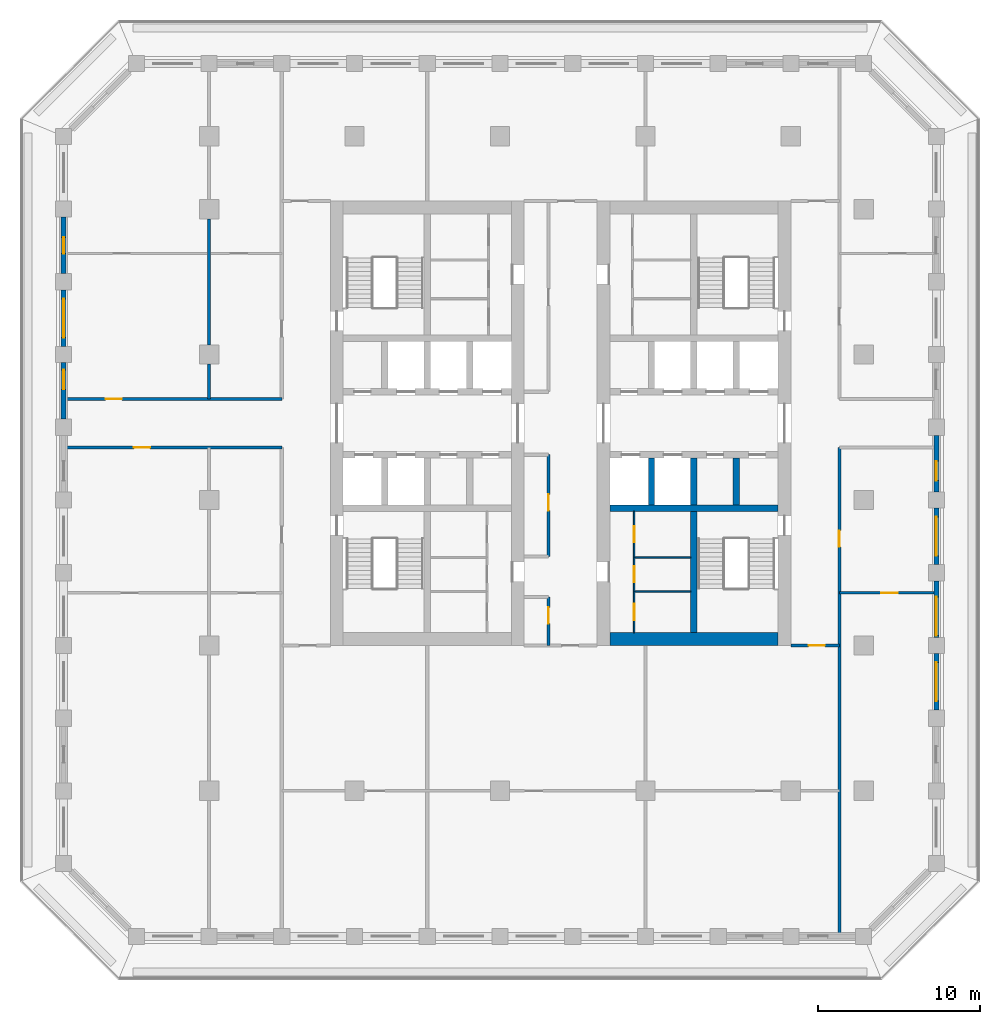
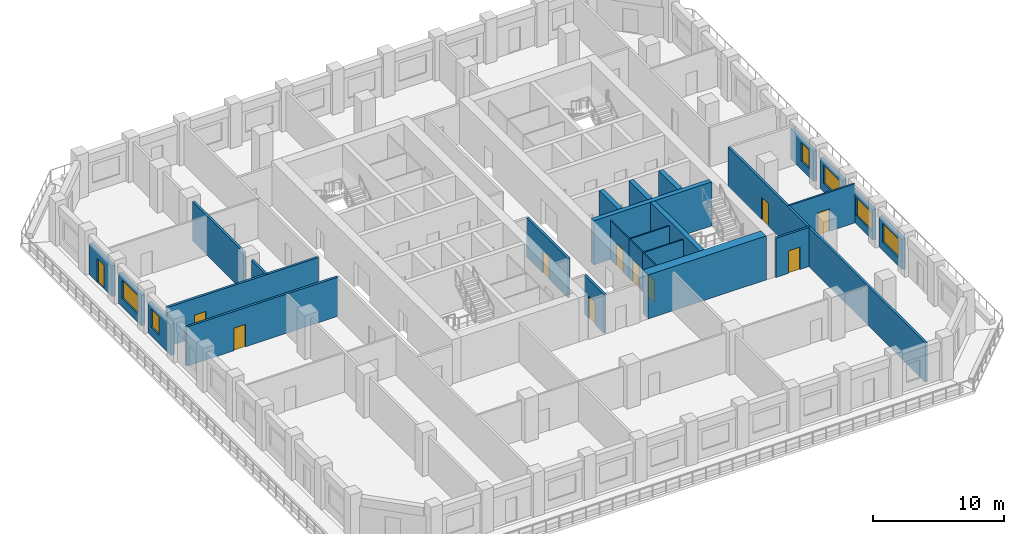
# One storey, part 4 of 16: 27 walls, 11 doors, 6 windows, 17 openings.
"""IFC4 building model written with IfcOpenShell, lengths in metres."""

from ifc_helpers import new_model, si_unit, direction, frame, frame_2d, origin, place, context, subcontext, project, spatial, rectangle, extrude, material, layer, layer_set, type_object, element, fill, save


model = new_model("IFC4")

# Units and contexts
model_context = context("Model", 3, precision=1e-05, world=origin(), true_north=direction((0.0, 1.0)))
body_context = subcontext(model_context, "Body", "Model", "MODEL_VIEW")
ifc_project = project(units=[si_unit("LENGTHUNIT", "METRE"), si_unit("AREAUNIT", "SQUARE_METRE"), si_unit("VOLUMEUNIT", "CUBIC_METRE"), si_unit("PLANEANGLEUNIT", "RADIAN"), si_unit("MASSUNIT", "GRAM", prefix="KILO")], contexts=[model_context])

# Site, building, storey
site_placement = place(None, origin())
site = spatial("IfcSite", under=ifc_project, at=site_placement, CompositionType="ELEMENT")
building_placement = place(site_placement, origin())
building = spatial("IfcBuilding", under=site, at=building_placement, Name="Corbel Stack Research Tower", CompositionType="ELEMENT")
storey_placement = place(building_placement, frame((0.0, 0.0, 169.10009765625)))
storey = spatial("IfcBuildingStorey", under=building, at=storey_placement, Name="L38", CompositionType="ELEMENT", Elevation=169.10009765625)

# Walls
ifc_material_1 = material(Name="Concrete C60/75", Category="concrete")
ifc_layer_1 = layer(ifc_material_1, 0.39990234375)
ifc_layer_set_1 = layer_set([ifc_layer_1], Name="Concrete C60/75")
wall_type_1 = type_object("IfcWallType", Name="CW-400-60", PredefinedType="SHEAR", material=ifc_layer_set_1)
wall_1_placement = place(storey_placement, frame((6.800048828125, -0.5, 0.0), z_axis=(0.0, 0.0, 1.0), x_axis=(1.0, 0.0, 0.0)))
element("IfcWall", 1, at=wall_1_placement, inside=storey, type_object=wall_type_1, Name="East core wall, south row back L38", PredefinedType="SHEAR", context=body_context, shape_type="SweptSolid", body=[
    extrude(rectangle(XDim=10.39990234375, YDim=0.39990234375, at=frame_2d((5.199951171875, 0.0))), origin(), (0.0, 0.0, 1.0), 4.099853515625),
])
for number, where, z_axis, x_axis, name in (
    (2, (9.375, -0.300048828125, 0.0), (0.0, 0.0, 1.0), (0.0, 1.0, 0.0), "East core wall, south shaft 1 L38"),
    (3, (12.0, -0.300048828125, 0.0), (0.0, 0.0, 1.0), (0.0, 1.0, 0.0), "East core wall, south shaft 2 L38"),
    (4, (14.625, -0.300048828125, 0.0), (0.0, 0.0, 1.0), (0.0, 1.0, 0.0), "East core wall, south shaft 3 L38"),
):
    element("IfcWall", number, at=place(storey_placement, frame(where, z_axis=z_axis, x_axis=x_axis)), inside=storey, type_object=wall_type_1, Name=name, PredefinedType="SHEAR", context=body_context, shape_type="SweptSolid", body=[
        extrude(rectangle(XDim=2.900146484375, YDim=0.39990234375, at=frame_2d((1.4501953125, 0.0))), origin(), (0.0, 0.0, 1.0), 4.099853515625),
    ])
wall_2_placement = place(storey_placement, frame((12.0, -8.199951171875, 0.0), z_axis=(0.0, 0.0, 1.0), x_axis=(0.0, 1.0, 0.0)))
element("IfcWall", 5, at=wall_2_placement, inside=storey, type_object=wall_type_1, Name="East core wall, south stair and WC L38", PredefinedType="SHEAR", context=body_context, shape_type="SweptSolid", body=[
    extrude(rectangle(XDim=7.5, YDim=0.39990234375, at=frame_2d((3.75, 0.0))), origin(), (0.0, 0.0, 1.0), 4.099853515625),
])
ifc_material_2 = material(Name="Concrete C60/75", Category="concrete")
ifc_layer_2 = layer(ifc_material_2, 0.800048828125)
ifc_layer_set_2 = layer_set([ifc_layer_2], Name="Concrete C60/75")
wall_type_2 = type_object("IfcWallType", Name="CW-800-60", PredefinedType="SHEAR", material=ifc_layer_set_2)
wall_3_placement = place(storey_placement, frame((6.800048828125, -8.60009765625, 0.0), z_axis=(0.0, 0.0, 1.0), x_axis=(1.0, 0.0, 0.0)))
element("IfcWall", 6, at=wall_3_placement, inside=storey, type_object=wall_type_2, Name="East core wall, south end L38", PredefinedType="SHEAR", context=body_context, shape_type="SweptSolid", body=[
    extrude(rectangle(XDim=10.39990234375, YDim=0.800048828125, at=frame_2d((5.199951171875, 0.0))), origin(), (0.0, 0.0, 1.0), 4.099853515625),
])

# Wall, opening, door
ifc_material_3 = material(Name="Gypsum board")
ifc_layer_3 = layer(ifc_material_3, 0.10009765625)
ifc_layer_set_3 = layer_set([ifc_layer_3], Name="Gypsum board")
wall_type_3 = type_object("IfcWallType", Name="Core partition 100", PredefinedType="PARTITIONING", material=ifc_layer_set_3)
wall_4_placement = place(storey_placement, frame((8.300048828125, -8.199951171875, 0.0), z_axis=(0.0, 0.0, 1.0), x_axis=(0.0, 1.0, 0.0)))
wall_4 = element("IfcWall", 7, at=wall_4_placement, inside=storey, type_object=wall_type_3, Name="Core partition E", PredefinedType="PARTITIONING", context=body_context, shape_type="SweptSolid", body=[
    extrude(rectangle(XDim=2.550048828125, YDim=0.10009765625, at=frame_2d((1.27490234375, 0.0))), origin(), (0.0, 0.0, 1.0), 3.64990234375),
])
opening_1_placement = place(wall_4_placement, frame((0.77490234375, 0.0, 0.0)))
opening_1 = element("IfcOpeningElement", 8, at=opening_1_placement, cuts=wall_4, Name="Opening CR-E12-W2-1000", PredefinedType="OPENING", context=body_context, shape_type="SweptSolid", body=[
    extrude(rectangle(XDim=1.0, YDim=2.10009765625, at=frame_2d((0.5, 1.050048828125))), frame((0.0, 0.06005859375, 0.0), z_axis=(0.0, -1.0, 0.0), x_axis=(1.0, 0.0, 0.0)), (0.0, 0.0, 1.0), 0.1201171875),
])
ifc_material_4 = material(Name="Painted timber door", Category="wood")
door_type_1 = type_object("IfcDoorType", Name="WC door 1000 x 2100 left hand", OperationType="SINGLE_SWING_LEFT", PredefinedType="DOOR", material=ifc_material_4)
door_1_placement = place(opening_1_placement, origin())
door_1 = element("IfcDoor", 9, at=door_1_placement, inside=storey, type_object=door_type_1, Name="Men's WC door E core", OperationType="SINGLE_SWING_LEFT", OverallHeight=2.10009765625, OverallWidth=1.0, PredefinedType="DOOR", context=body_context, shape_type="SweptSolid", body=[
    extrude(rectangle(XDim=1.0, YDim=2.10009765625, at=frame_2d((0.5, 1.050048828125))), frame((0.0, 0.02490234375, 0.0), z_axis=(0.0, -1.0, 0.0), x_axis=(1.0, 0.0, 0.0)), (0.0, 0.0, 1.0), 0.050048828125),
])
fill(opening_1, door_1)

wall_5_placement = place(storey_placement, frame((8.300048828125, -5.64990234375, 0.0), z_axis=(0.0, 0.0, 1.0), x_axis=(0.0, 1.0, 0.0)))
wall_5 = element("IfcWall", 10, at=wall_5_placement, inside=storey, type_object=wall_type_3, Name="Core partition E", PredefinedType="PARTITIONING", context=body_context, shape_type="SweptSolid", body=[
    extrude(rectangle(XDim=2.099853515625, YDim=0.10009765625, at=frame_2d((1.0498046875, 0.0))), origin(), (0.0, 0.0, 1.0), 3.64990234375),
])
opening_2_placement = place(wall_5_placement, frame((0.550048828125, 0.0, 0.0)))
opening_2 = element("IfcOpeningElement", 11, at=opening_2_placement, cuts=wall_5, Name="Opening CR-E12-W3-1000", PredefinedType="OPENING", context=body_context, shape_type="SweptSolid", body=[
    extrude(rectangle(XDim=1.0, YDim=2.10009765625, at=frame_2d((0.5, 1.050048828125))), frame((0.0, 0.06005859375, 0.0), z_axis=(0.0, -1.0, 0.0), x_axis=(1.0, 0.0, 0.0)), (0.0, 0.0, 1.0), 0.1201171875),
])
ifc_material_5 = material(Name="Painted timber door", Category="wood")
door_type_2 = type_object("IfcDoorType", Name="WC door 1000 x 2100 right hand", OperationType="SINGLE_SWING_RIGHT", PredefinedType="DOOR", material=ifc_material_5)
door_2_placement = place(opening_2_placement, origin())
door_2 = element("IfcDoor", 12, at=door_2_placement, inside=storey, type_object=door_type_2, Name="Accessible WC door E core", OperationType="SINGLE_SWING_RIGHT", OverallHeight=2.10009765625, OverallWidth=1.0, PredefinedType="DOOR", context=body_context, shape_type="SweptSolid", body=[
    extrude(rectangle(XDim=1.0, YDim=2.10009765625, at=frame_2d((0.5, 1.050048828125))), frame((0.0, 0.02490234375, 0.0), z_axis=(0.0, -1.0, 0.0), x_axis=(1.0, 0.0, 0.0)), (0.0, 0.0, 1.0), 0.050048828125),
])
fill(opening_2, door_2)

wall_6_placement = place(storey_placement, frame((8.300048828125, -3.550048828125, 0.0), z_axis=(0.0, 0.0, 1.0), x_axis=(0.0, 1.0, 0.0)))
wall_6 = element("IfcWall", 13, at=wall_6_placement, inside=storey, type_object=wall_type_3, Name="Core partition E", PredefinedType="PARTITIONING", context=body_context, shape_type="SweptSolid", body=[
    extrude(rectangle(XDim=2.85009765625, YDim=0.10009765625, at=frame_2d((1.425048828125, 0.0))), origin(), (0.0, 0.0, 1.0), 3.64990234375),
])
opening_3_placement = place(wall_6_placement, frame((0.925048828125, 0.0, 0.0)))
opening_3 = element("IfcOpeningElement", 14, at=opening_3_placement, cuts=wall_6, Name="Opening CR-E12-W4-1000", PredefinedType="OPENING", context=body_context, shape_type="SweptSolid", body=[
    extrude(rectangle(XDim=1.0, YDim=2.10009765625, at=frame_2d((0.5, 1.050048828125))), frame((0.0, 0.06005859375, 0.0), z_axis=(0.0, -1.0, 0.0), x_axis=(1.0, 0.0, 0.0)), (0.0, 0.0, 1.0), 0.1201171875),
])
door_3_placement = place(opening_3_placement, origin())
door_3 = element("IfcDoor", 15, at=door_3_placement, inside=storey, type_object=door_type_1, Name="Women's WC door E core", OperationType="SINGLE_SWING_LEFT", OverallHeight=2.10009765625, OverallWidth=1.0, PredefinedType="DOOR", context=body_context, shape_type="SweptSolid", body=[
    extrude(rectangle(XDim=1.0, YDim=2.10009765625, at=frame_2d((0.5, 1.050048828125))), frame((0.0, 0.02490234375, 0.0), z_axis=(0.0, -1.0, 0.0), x_axis=(1.0, 0.0, 0.0)), (0.0, 0.0, 1.0), 0.050048828125),
])
fill(opening_3, door_3)

# Walls
for number, where, z_axis, x_axis, name in (
    (16, (8.300048828125, -5.64990234375, 0.0), (0.0, 0.0, 1.0), (1.0, 0.0, 0.0), "Core partition E"),
    (17, (8.300048828125, -3.550048828125, 0.0), (0.0, 0.0, 1.0), (1.0, 0.0, 0.0), "Core partition E"),
):
    element("IfcWall", number, at=place(storey_placement, frame(where, z_axis=z_axis, x_axis=x_axis)), inside=storey, type_object=wall_type_3, Name=name, PredefinedType="PARTITIONING", context=body_context, shape_type="SweptSolid", body=[
        extrude(rectangle(XDim=3.5, YDim=0.10009765625, at=frame_2d((1.75, 0.0))), origin(), (0.0, 0.0, 1.0), 3.64990234375),
    ])
ifc_material_6 = material(Name="Fire-rated gypsum board partition on steel studs", Category="steel")
ifc_layer_4 = layer(ifc_material_6, 0.199951171875)
ifc_layer_set_4 = layer_set([ifc_layer_4], Name="Fire-rated gypsum board partition on steel studs")
wall_type_4 = type_object("IfcWallType", Name="Fire-rated partition 200 EI 60", PredefinedType="PARTITIONING", material=ifc_layer_set_4)
wall_7_placement = place(storey_placement, frame((-18.0, 6.25, 0.0), z_axis=(0.0, 0.0, 1.0), x_axis=(0.0, 1.0, 0.0)))
element("IfcWall", 18, at=wall_7_placement, inside=storey, type_object=wall_type_4, Name="Partition L38-005", PredefinedType="PARTITIONING", context=body_context, shape_type="SweptSolid", body=[
    extrude(rectangle(XDim=2.14990234375, YDim=0.199951171875, at=frame_2d((1.074951171875, 0.0))), origin(), (0.0, 0.0, 1.0), 3.64990234375),
])
wall_8_placement = place(storey_placement, frame((-18.0, 9.60009765625, 0.0), z_axis=(0.0, 0.0, 1.0), x_axis=(0.0, 1.0, 0.0)))
element("IfcWall", 19, at=wall_8_placement, inside=storey, type_object=wall_type_4, Name="Partition L38-006", PredefinedType="PARTITIONING", context=body_context, shape_type="SweptSolid", body=[
    extrude(rectangle(XDim=7.7998046875, YDim=0.199951171875, at=frame_2d((3.89990234375, 0.0))), origin(), (0.0, 0.0, 1.0), 3.64990234375),
])

# Wall, opening, door
wall_9_placement = place(storey_placement, frame((3.0, -9.0, 0.0), z_axis=(0.0, 0.0, 1.0), x_axis=(0.0, 1.0, 0.0)))
wall_9 = element("IfcWall", 20, at=wall_9_placement, inside=storey, type_object=wall_type_4, Name="Partition L38-013", PredefinedType="PARTITIONING", context=body_context, shape_type="SweptSolid", body=[
    extrude(rectangle(XDim=3.0, YDim=0.199951171875, at=frame_2d((1.5, 0.0))), origin(), (0.0, 0.0, 1.0), 3.64990234375),
])
opening_4_placement = place(wall_9_placement, frame((1.35009765625, 0.0, 0.0)))
opening_4 = element("IfcOpeningElement", 21, at=opening_4_placement, cuts=wall_9, Name="Opening B5V1-012", PredefinedType="OPENING", context=body_context, shape_type="SweptSolid", body=[
    extrude(rectangle(XDim=1.0, YDim=2.10009765625, at=frame_2d((0.5, 1.050048828125))), frame((0.0, 0.10986328125, 0.0), z_axis=(0.0, -1.0, 0.0), x_axis=(1.0, 0.0, 0.0)), (0.0, 0.0, 1.0), 0.219970703125),
])
ifc_material_7 = material(Name="Painted steel fire door", Category="steel")
door_type_3 = type_object("IfcDoorType", Name="Fire door FD30S 1000 x 2100", OperationType="NOTDEFINED", PredefinedType="DOOR", material=ifc_material_7)
door_4_placement = place(opening_4_placement, origin())
door_4 = element("IfcDoor", 22, at=door_4_placement, inside=storey, type_object=door_type_3, Name="Door B5V1-012", OperationType="SINGLE_SWING_RIGHT", OverallHeight=2.10009765625, OverallWidth=1.0, PredefinedType="DOOR", context=body_context, shape_type="SweptSolid", body=[
    extrude(rectangle(XDim=1.0, YDim=2.10009765625, at=frame_2d((0.5, 1.050048828125))), frame((0.0, 0.02490234375, 0.0), z_axis=(0.0, -1.0, 0.0), x_axis=(1.0, 0.0, 0.0)), (0.0, 0.0, 1.0), 0.050048828125),
])
fill(opening_4, door_4)

wall_10_placement = place(storey_placement, frame((3.0, -3.5, 0.0), z_axis=(0.0, 0.0, 1.0), x_axis=(0.0, 1.0, 0.0)))
wall_10 = element("IfcWall", 23, at=wall_10_placement, inside=storey, type_object=wall_type_4, Name="Partition L38-014", PredefinedType="PARTITIONING", context=body_context, shape_type="SweptSolid", body=[
    extrude(rectangle(XDim=6.300048828125, YDim=0.199951171875, at=frame_2d((3.14990234375, 0.0))), origin(), (0.0, 0.0, 1.0), 3.64990234375),
])
opening_5_placement = place(wall_10_placement, frame((2.85009765625, 0.0, 0.0)))
opening_5 = element("IfcOpeningElement", 24, at=opening_5_placement, cuts=wall_10, Name="Opening B5V1-013", PredefinedType="OPENING", context=body_context, shape_type="SweptSolid", body=[
    extrude(rectangle(XDim=1.0, YDim=2.10009765625, at=frame_2d((0.5, 1.050048828125))), frame((0.0, 0.10986328125, 0.0), z_axis=(0.0, -1.0, 0.0), x_axis=(1.0, 0.0, 0.0)), (0.0, 0.0, 1.0), 0.219970703125),
])
door_5_placement = place(opening_5_placement, origin())
door_5 = element("IfcDoor", 25, at=door_5_placement, inside=storey, type_object=door_type_3, Name="Door B5V1-013", OperationType="SINGLE_SWING_RIGHT", OverallHeight=2.10009765625, OverallWidth=1.0, PredefinedType="DOOR", context=body_context, shape_type="SweptSolid", body=[
    extrude(rectangle(XDim=1.0, YDim=2.10009765625, at=frame_2d((0.5, 1.050048828125))), frame((0.0, 0.02490234375, 0.0), z_axis=(0.0, -1.0, 0.0), x_axis=(1.0, 0.0, 0.0)), (0.0, 0.0, 1.0), 0.050048828125),
])
fill(opening_5, door_5)

wall_11_placement = place(storey_placement, frame((21.0, 3.25, 0.0), z_axis=(0.0, 0.0, 1.0), x_axis=(0.0, -1.0, 0.0)))
wall_11 = element("IfcWall", 26, at=wall_11_placement, inside=storey, type_object=wall_type_4, Name="Partition L38-020", PredefinedType="PARTITIONING", context=body_context, shape_type="SweptSolid", body=[
    extrude(rectangle(XDim=30.10009765625, YDim=0.199951171875, at=frame_2d((15.050048828125, 0.0))), origin(), (0.0, 0.0, 1.0), 3.64990234375),
])
opening_6_placement = place(wall_11_placement, frame((5.14990234375, 0.0, 0.0)))
opening_6 = element("IfcOpeningElement", 27, at=opening_6_placement, cuts=wall_11, Name="Opening B5V1-023", PredefinedType="OPENING", context=body_context, shape_type="SweptSolid", body=[
    extrude(rectangle(XDim=1.0, YDim=2.10009765625, at=frame_2d((0.5, 1.050048828125))), frame((0.0, 0.10986328125, 0.0), z_axis=(0.0, -1.0, 0.0), x_axis=(1.0, 0.0, 0.0)), (0.0, 0.0, 1.0), 0.219970703125),
])
door_6_placement = place(opening_6_placement, origin())
door_6 = element("IfcDoor", 28, at=door_6_placement, inside=storey, type_object=door_type_3, Name="Door B5V1-023", OperationType="SINGLE_SWING_LEFT", OverallHeight=2.10009765625, OverallWidth=1.0, PredefinedType="DOOR", context=body_context, shape_type="SweptSolid", body=[
    extrude(rectangle(XDim=1.0, YDim=2.10009765625, at=frame_2d((0.5, 1.050048828125))), frame((0.0, 0.02490234375, 0.0), z_axis=(0.0, -1.0, 0.0), x_axis=(1.0, 0.0, 0.0)), (0.0, 0.0, 1.0), 0.050048828125),
])
fill(opening_6, door_6)

wall_12_placement = place(storey_placement, frame((21.0, -9.0, 0.0), z_axis=(0.0, 0.0, 1.0), x_axis=(-1.0, 0.0, 0.0)))
wall_12 = element("IfcWall", 29, at=wall_12_placement, inside=storey, type_object=wall_type_4, Name="Partition L38-029", PredefinedType="PARTITIONING", context=body_context, shape_type="SweptSolid", body=[
    extrude(rectangle(XDim=3.0, YDim=0.199951171875, at=frame_2d((1.5, 0.0))), origin(), (0.0, 0.0, 1.0), 3.64990234375),
])
opening_7_placement = place(wall_12_placement, frame((0.89990234375, 0.0, 0.0)))
opening_7 = element("IfcOpeningElement", 30, at=opening_7_placement, cuts=wall_12, Name="Opening B5V1-008", PredefinedType="OPENING", context=body_context, shape_type="SweptSolid", body=[
    extrude(rectangle(XDim=1.0, YDim=2.10009765625, at=frame_2d((0.5, 1.050048828125))), frame((0.0, 0.10986328125, 0.0), z_axis=(0.0, -1.0, 0.0), x_axis=(1.0, 0.0, 0.0)), (0.0, 0.0, 1.0), 0.219970703125),
])
door_7_placement = place(opening_7_placement, origin())
door_7 = element("IfcDoor", 31, at=door_7_placement, inside=storey, type_object=door_type_3, Name="Door B5V1-008", OperationType="SINGLE_SWING_LEFT", OverallHeight=2.10009765625, OverallWidth=1.0, PredefinedType="DOOR", context=body_context, shape_type="SweptSolid", body=[
    extrude(rectangle(XDim=1.0, YDim=2.10009765625, at=frame_2d((0.5, 1.050048828125))), frame((0.0, 0.02490234375, 0.0), z_axis=(0.0, -1.0, 0.0), x_axis=(1.0, 0.0, 0.0)), (0.0, 0.0, 1.0), 0.050048828125),
])
fill(opening_7, door_7)

wall_13_placement = place(storey_placement, frame((-13.5, 3.25, 0.0), z_axis=(0.0, 0.0, 1.0), x_axis=(-1.0, 0.0, 0.0)))
wall_13 = element("IfcWall", 32, at=wall_13_placement, inside=storey, type_object=wall_type_4, Name="Partition L38-035", PredefinedType="PARTITIONING", context=body_context, shape_type="SweptSolid", body=[
    extrude(rectangle(XDim=13.35009765625, YDim=0.199951171875, at=frame_2d((6.675048828125, 0.0))), origin(), (0.0, 0.0, 1.0), 3.64990234375),
])
opening_8_placement = place(wall_13_placement, frame((8.14990234375, 0.0, 0.0)))
opening_8 = element("IfcOpeningElement", 33, at=opening_8_placement, cuts=wall_13, Name="Opening B5V1-015", PredefinedType="OPENING", context=body_context, shape_type="SweptSolid", body=[
    extrude(rectangle(XDim=1.0, YDim=2.10009765625, at=frame_2d((0.5, 1.050048828125))), frame((0.0, 0.10986328125, 0.0), z_axis=(0.0, -1.0, 0.0), x_axis=(1.0, 0.0, 0.0)), (0.0, 0.0, 1.0), 0.219970703125),
])
door_8_placement = place(opening_8_placement, origin())
door_8 = element("IfcDoor", 34, at=door_8_placement, inside=storey, type_object=door_type_3, Name="Door B5V1-015", OperationType="SINGLE_SWING_RIGHT", OverallHeight=2.10009765625, OverallWidth=1.0, PredefinedType="DOOR", context=body_context, shape_type="SweptSolid", body=[
    extrude(rectangle(XDim=1.0, YDim=2.10009765625, at=frame_2d((0.5, 1.050048828125))), frame((0.0, 0.02490234375, 0.0), z_axis=(0.0, -1.0, 0.0), x_axis=(1.0, 0.0, 0.0)), (0.0, 0.0, 1.0), 0.050048828125),
])
fill(opening_8, door_8)

wall_14_placement = place(storey_placement, frame((-26.85009765625, 6.25, 0.0), z_axis=(0.0, 0.0, 1.0), x_axis=(1.0, 0.0, 0.0)))
wall_14 = element("IfcWall", 35, at=wall_14_placement, inside=storey, type_object=wall_type_4, Name="Partition L38-037", PredefinedType="PARTITIONING", context=body_context, shape_type="SweptSolid", body=[
    extrude(rectangle(XDim=13.35009765625, YDim=0.199951171875, at=frame_2d((6.675048828125, 0.0))), origin(), (0.0, 0.0, 1.0), 3.64990234375),
])
opening_9_placement = place(wall_14_placement, frame((2.449951171875, 0.0, 0.0)))
opening_9 = element("IfcOpeningElement", 36, at=opening_9_placement, cuts=wall_14, Name="Opening B5V1-016", PredefinedType="OPENING", context=body_context, shape_type="SweptSolid", body=[
    extrude(rectangle(XDim=1.0, YDim=2.10009765625, at=frame_2d((0.5, 1.050048828125))), frame((0.0, 0.10986328125, 0.0), z_axis=(0.0, -1.0, 0.0), x_axis=(1.0, 0.0, 0.0)), (0.0, 0.0, 1.0), 0.219970703125),
])
door_9_placement = place(opening_9_placement, origin())
door_9 = element("IfcDoor", 37, at=door_9_placement, inside=storey, type_object=door_type_3, Name="Door B5V1-016", OperationType="SINGLE_SWING_LEFT", OverallHeight=2.10009765625, OverallWidth=1.0, PredefinedType="DOOR", context=body_context, shape_type="SweptSolid", body=[
    extrude(rectangle(XDim=1.0, YDim=2.10009765625, at=frame_2d((0.5, 1.050048828125))), frame((0.0, 0.02490234375, 0.0), z_axis=(0.0, -1.0, 0.0), x_axis=(1.0, 0.0, 0.0)), (0.0, 0.0, 1.0), 0.050048828125),
])
fill(opening_9, door_9)

ifc_material_8 = material(Name="Gypsum board partition on steel studs", Category="steel")
ifc_layer_5 = layer(ifc_material_8, 0.14990234375)
ifc_layer_set_5 = layer_set([ifc_layer_5], Name="Gypsum board partition on steel studs")
wall_type_5 = type_object("IfcWallType", Name="Partition 150", PredefinedType="PARTITIONING", material=ifc_layer_set_5)
wall_15_placement = place(storey_placement, frame((26.85009765625, -5.75, 0.0), z_axis=(0.0, 0.0, 1.0), x_axis=(-1.0, 0.0, 0.0)))
wall_15 = element("IfcWall", 38, at=wall_15_placement, inside=storey, type_object=wall_type_5, Name="Partition L38-032", PredefinedType="PARTITIONING", context=body_context, shape_type="SweptSolid", body=[
    extrude(rectangle(XDim=5.85009765625, YDim=0.14990234375, at=frame_2d((2.925048828125, 0.0))), origin(), (0.0, 0.0, 1.0), 3.64990234375),
])
opening_10_placement = place(wall_15_placement, frame((2.25, 0.0, 0.0)))
opening_10 = element("IfcOpeningElement", 39, at=opening_10_placement, cuts=wall_15, Name="Opening B5V1-011", PredefinedType="OPENING", context=body_context, shape_type="SweptSolid", body=[
    extrude(rectangle(XDim=1.0, YDim=2.10009765625, at=frame_2d((0.5, 1.050048828125))), frame((0.0, 0.0849609375, 0.0), z_axis=(0.0, -1.0, 0.0), x_axis=(1.0, 0.0, 0.0)), (0.0, 0.0, 1.0), 0.169921875),
])
ifc_material_9 = material(Name="Painted timber door", Category="wood")
door_type_4 = type_object("IfcDoorType", Name="Single door 1000 x 2100", OperationType="NOTDEFINED", PredefinedType="DOOR", material=ifc_material_9)
door_10_placement = place(opening_10_placement, origin())
door_10 = element("IfcDoor", 40, at=door_10_placement, inside=storey, type_object=door_type_4, Name="Door B5V1-011", OperationType="SINGLE_SWING_LEFT", OverallHeight=2.10009765625, OverallWidth=1.0, PredefinedType="DOOR", context=body_context, shape_type="SweptSolid", body=[
    extrude(rectangle(XDim=1.0, YDim=2.10009765625, at=frame_2d((0.5, 1.050048828125))), frame((0.0, 0.02490234375, 0.0), z_axis=(0.0, -1.0, 0.0), x_axis=(1.0, 0.0, 0.0)), (0.0, 0.0, 1.0), 0.050048828125),
])
fill(opening_10, door_10)

# Wall, opening, window
ifc_material_10 = material(Name="Concrete C45/55", Category="concrete")
ifc_layer_6 = layer(ifc_material_10, 0.300048828125)
ifc_layer_set_6 = layer_set([ifc_layer_6], Name="Concrete C45/55")
wall_type_6 = type_object("IfcWallType", Name="Terracotta-faced concrete wall 300", PredefinedType="SOLIDWALL", material=ifc_layer_set_6)
wall_16_placement = place(storey_placement, frame((27.0, -9.5, 0.0), z_axis=(0.0, 0.0, 1.0), x_axis=(0.0, -1.0, 0.0)))
wall_16 = element("IfcWall", 41, at=wall_16_placement, inside=storey, type_object=wall_type_6, Name="Facade wall L38 E03", PredefinedType="SOLIDWALL", context=body_context, shape_type="SweptSolid", body=[
    extrude(rectangle(XDim=3.5, YDim=0.300048828125, at=frame_2d((1.75, 0.0))), origin(), (0.0, 0.0, 1.0), 2.849853515625),
])
opening_11_placement = place(wall_16_placement, frame((0.550048828125, 0.0, 0.800048828125)))
opening_11 = element("IfcOpeningElement", 42, at=opening_11_placement, cuts=wall_16, Name="Opening W1", PredefinedType="OPENING", context=body_context, shape_type="SweptSolid", body=[
    extrude(rectangle(XDim=2.39990234375, YDim=1.699951171875, at=frame_2d((1.199951171875, 0.85009765625))), frame((0.0, 0.159912109375, 0.0), z_axis=(0.0, -1.0, 0.0), x_axis=(1.0, 0.0, 0.0)), (0.0, 0.0, 1.0), 0.320068359375),
])
ifc_material_11 = material(Name="Aluminium frame, clear double glazing", Category="aluminium")
window_type_1 = type_object("IfcWindowType", Name="Window W1 2400 x 1700", PartitioningType="SINGLE_PANEL", PredefinedType="WINDOW", material=ifc_material_11)
window_1_placement = place(opening_11_placement, origin())
window_1 = element("IfcWindow", 43, at=window_1_placement, inside=storey, type_object=window_type_1, Name="Window W1 L38 E03", OverallHeight=1.699951171875, OverallWidth=2.39990234375, PartitioningType="SINGLE_PANEL", PredefinedType="WINDOW", context=body_context, shape_type="SweptSolid", body=[
    extrude(rectangle(XDim=2.39990234375, YDim=1.699951171875, at=frame_2d((1.199951171875, 0.85009765625))), frame((0.0, 0.030029296875, 0.0), z_axis=(0.0, -1.0, 0.0), x_axis=(1.0, 0.0, 0.0)), (0.0, 0.0, 1.0), 0.06005859375),
])
fill(opening_11, window_1)

wall_17_placement = place(storey_placement, frame((27.0, -5.0, 0.0), z_axis=(0.0, 0.0, 1.0), x_axis=(0.0, -1.0, 0.0)))
wall_17 = element("IfcWall", 44, at=wall_17_placement, inside=storey, type_object=wall_type_6, Name="Facade wall L38 E04", PredefinedType="SOLIDWALL", context=body_context, shape_type="SweptSolid", body=[
    extrude(rectangle(XDim=3.5, YDim=0.300048828125, at=frame_2d((1.75, 0.0))), origin(), (0.0, 0.0, 1.0), 2.849853515625),
])
opening_12_placement = place(wall_17_placement, frame((0.987548828125, 0.0, 0.800048828125)))
opening_12 = element("IfcOpeningElement", 45, at=opening_12_placement, cuts=wall_17, Name="Opening W1", PredefinedType="OPENING", context=body_context, shape_type="SweptSolid", body=[
    extrude(rectangle(XDim=2.39990234375, YDim=1.699951171875, at=frame_2d((1.199951171875, 0.85009765625))), frame((0.0, 0.159912109375, 0.0), z_axis=(0.0, -1.0, 0.0), x_axis=(1.0, 0.0, 0.0)), (0.0, 0.0, 1.0), 0.320068359375),
])
window_2_placement = place(opening_12_placement, origin())
window_2 = element("IfcWindow", 46, at=window_2_placement, inside=storey, type_object=window_type_1, Name="Window W1 L38 E04", OverallHeight=1.699951171875, OverallWidth=2.39990234375, PartitioningType="SINGLE_PANEL", PredefinedType="WINDOW", context=body_context, shape_type="SweptSolid", body=[
    extrude(rectangle(XDim=2.39990234375, YDim=1.699951171875, at=frame_2d((1.199951171875, 0.85009765625))), frame((0.0, 0.030029296875, 0.0), z_axis=(0.0, -1.0, 0.0), x_axis=(1.0, 0.0, 0.0)), (0.0, 0.0, 1.0), 0.06005859375),
])
fill(opening_12, window_2)

wall_18_placement = place(storey_placement, frame((27.0, -0.5, 0.0), z_axis=(0.0, 0.0, 1.0), x_axis=(0.0, -1.0, 0.0)))
wall_18 = element("IfcWall", 47, at=wall_18_placement, inside=storey, type_object=wall_type_6, Name="Facade wall L38 E05", PredefinedType="SOLIDWALL", context=body_context, shape_type="SweptSolid", body=[
    extrude(rectangle(XDim=3.5, YDim=0.300048828125, at=frame_2d((1.75, 0.0))), origin(), (0.0, 0.0, 1.0), 2.849853515625),
])
opening_13_placement = place(wall_18_placement, frame((0.550048828125, 0.0, 0.800048828125)))
opening_13 = element("IfcOpeningElement", 48, at=opening_13_placement, cuts=wall_18, Name="Opening W1", PredefinedType="OPENING", context=body_context, shape_type="SweptSolid", body=[
    extrude(rectangle(XDim=2.39990234375, YDim=1.699951171875, at=frame_2d((1.199951171875, 0.85009765625))), frame((0.0, 0.159912109375, 0.0), z_axis=(0.0, -1.0, 0.0), x_axis=(1.0, 0.0, 0.0)), (0.0, 0.0, 1.0), 0.320068359375),
])
window_3_placement = place(opening_13_placement, origin())
window_3 = element("IfcWindow", 49, at=window_3_placement, inside=storey, type_object=window_type_1, Name="Window W1 L38 E05", OverallHeight=1.699951171875, OverallWidth=2.39990234375, PartitioningType="SINGLE_PANEL", PredefinedType="WINDOW", context=body_context, shape_type="SweptSolid", body=[
    extrude(rectangle(XDim=2.39990234375, YDim=1.699951171875, at=frame_2d((1.199951171875, 0.85009765625))), frame((0.0, 0.030029296875, 0.0), z_axis=(0.0, -1.0, 0.0), x_axis=(1.0, 0.0, 0.0)), (0.0, 0.0, 1.0), 0.06005859375),
])
fill(opening_13, window_3)

wall_19_placement = place(storey_placement, frame((27.0, 4.0, 0.0), z_axis=(0.0, 0.0, 1.0), x_axis=(0.0, -1.0, 0.0)))
wall_19 = element("IfcWall", 50, at=wall_19_placement, inside=storey, type_object=wall_type_6, Name="Facade wall L38 E06", PredefinedType="SOLIDWALL", context=body_context, shape_type="SweptSolid", body=[
    extrude(rectangle(XDim=3.5, YDim=0.300048828125, at=frame_2d((1.75, 0.0))), origin(), (0.0, 0.0, 1.0), 2.849853515625),
])
opening_14_placement = place(wall_19_placement, frame((1.60009765625, 0.0, 0.800048828125)))
opening_14 = element("IfcOpeningElement", 51, at=opening_14_placement, cuts=wall_19, Name="Opening W2", PredefinedType="OPENING", context=body_context, shape_type="SweptSolid", body=[
    extrude(rectangle(XDim=1.199951171875, YDim=1.699951171875, at=frame_2d((0.60009765625, 0.85009765625))), frame((0.0, 0.159912109375, 0.0), z_axis=(0.0, -1.0, 0.0), x_axis=(1.0, 0.0, 0.0)), (0.0, 0.0, 1.0), 0.320068359375),
])
ifc_material_12 = material(Name="Aluminium frame, clear double glazing", Category="aluminium")
window_type_2 = type_object("IfcWindowType", Name="Window W2 1200 x 1700", PartitioningType="SINGLE_PANEL", PredefinedType="WINDOW", material=ifc_material_12)
window_4_placement = place(opening_14_placement, origin())
window_4 = element("IfcWindow", 52, at=window_4_placement, inside=storey, type_object=window_type_2, Name="Window W2 L38 E06", OverallHeight=1.699951171875, OverallWidth=1.199951171875, PartitioningType="SINGLE_PANEL", PredefinedType="WINDOW", context=body_context, shape_type="SweptSolid", body=[
    extrude(rectangle(XDim=1.199951171875, YDim=1.699951171875, at=frame_2d((0.60009765625, 0.85009765625))), frame((0.0, 0.030029296875, 0.0), z_axis=(0.0, -1.0, 0.0), x_axis=(1.0, 0.0, 0.0)), (0.0, 0.0, 1.0), 0.06005859375),
])
fill(opening_14, window_4)

# Wall, opening, door
wall_20_placement = place(storey_placement, frame((-27.0, 14.0, 0.0), z_axis=(0.0, 0.0, 1.0), x_axis=(0.0, 1.0, 0.0)))
wall_20 = element("IfcWall", 53, at=wall_20_placement, inside=storey, type_object=wall_type_6, Name="Facade wall L38 W02", PredefinedType="SOLIDWALL", context=body_context, shape_type="SweptSolid", body=[
    extrude(rectangle(XDim=3.5, YDim=0.300048828125, at=frame_2d((1.75, 0.0))), origin(), (0.0, 0.0, 1.0), 2.849853515625),
])
opening_15_placement = place(wall_20_placement, frame((1.25, 0.0, 0.0)))
opening_15 = element("IfcOpeningElement", 54, at=opening_15_placement, cuts=wall_20, Name="Opening L38-B10", PredefinedType="OPENING", context=body_context, shape_type="SweptSolid", body=[
    extrude(rectangle(XDim=1.0, YDim=2.199951171875, at=frame_2d((0.5, 1.10009765625))), frame((0.0, 0.159912109375, 0.0), z_axis=(0.0, -1.0, 0.0), x_axis=(1.0, 0.0, 0.0)), (0.0, 0.0, 1.0), 0.320068359375),
])
ifc_material_13 = material(Name="Aluminium frame, clear double glazing", Category="aluminium")
door_type_5 = type_object("IfcDoorType", Name="Balcony door BD1 1000 x 2200", OperationType="NOTDEFINED", PredefinedType="DOOR", material=ifc_material_13)
door_11_placement = place(opening_15_placement, origin())
door_11 = element("IfcDoor", 55, at=door_11_placement, inside=storey, type_object=door_type_5, Name="Balcony door L38-B10", OperationType="SINGLE_SWING_RIGHT", OverallHeight=2.199951171875, OverallWidth=1.0, PredefinedType="DOOR", context=body_context, shape_type="SweptSolid", body=[
    extrude(rectangle(XDim=1.0, YDim=2.199951171875, at=frame_2d((0.5, 1.10009765625))), frame((0.0, 0.02490234375, 0.0), z_axis=(0.0, -1.0, 0.0), x_axis=(1.0, 0.0, 0.0)), (0.0, 0.0, 1.0), 0.050048828125),
])
fill(opening_15, door_11)

# Wall, opening, window
wall_21_placement = place(storey_placement, frame((-27.0, 9.5, 0.0), z_axis=(0.0, 0.0, 1.0), x_axis=(0.0, 1.0, 0.0)))
wall_21 = element("IfcWall", 56, at=wall_21_placement, inside=storey, type_object=wall_type_6, Name="Facade wall L38 W03", PredefinedType="SOLIDWALL", context=body_context, shape_type="SweptSolid", body=[
    extrude(rectangle(XDim=3.5, YDim=0.300048828125, at=frame_2d((1.75, 0.0))), origin(), (0.0, 0.0, 1.0), 2.849853515625),
])
opening_16_placement = place(wall_21_placement, frame((0.550048828125, 0.0, 0.800048828125)))
opening_16 = element("IfcOpeningElement", 57, at=opening_16_placement, cuts=wall_21, Name="Opening W1", PredefinedType="OPENING", context=body_context, shape_type="SweptSolid", body=[
    extrude(rectangle(XDim=2.39990234375, YDim=1.699951171875, at=frame_2d((1.199951171875, 0.85009765625))), frame((0.0, 0.159912109375, 0.0), z_axis=(0.0, -1.0, 0.0), x_axis=(1.0, 0.0, 0.0)), (0.0, 0.0, 1.0), 0.320068359375),
])
window_5_placement = place(opening_16_placement, origin())
window_5 = element("IfcWindow", 58, at=window_5_placement, inside=storey, type_object=window_type_1, Name="Window W1 L38 W03", OverallHeight=1.699951171875, OverallWidth=2.39990234375, PartitioningType="SINGLE_PANEL", PredefinedType="WINDOW", context=body_context, shape_type="SweptSolid", body=[
    extrude(rectangle(XDim=2.39990234375, YDim=1.699951171875, at=frame_2d((1.199951171875, 0.85009765625))), frame((0.0, 0.030029296875, 0.0), z_axis=(0.0, -1.0, 0.0), x_axis=(1.0, 0.0, 0.0)), (0.0, 0.0, 1.0), 0.06005859375),
])
fill(opening_16, window_5)

wall_22_placement = place(storey_placement, frame((-27.0, 5.0, 0.0), z_axis=(0.0, 0.0, 1.0), x_axis=(0.0, 1.0, 0.0)))
wall_22 = element("IfcWall", 59, at=wall_22_placement, inside=storey, type_object=wall_type_6, Name="Facade wall L38 W04", PredefinedType="SOLIDWALL", context=body_context, shape_type="SweptSolid", body=[
    extrude(rectangle(XDim=3.5, YDim=0.300048828125, at=frame_2d((1.75, 0.0))), origin(), (0.0, 0.0, 1.0), 2.849853515625),
])
opening_17_placement = place(wall_22_placement, frame((1.85009765625, 0.0, 0.800048828125)))
opening_17 = element("IfcOpeningElement", 60, at=opening_17_placement, cuts=wall_22, Name="Opening W2", PredefinedType="OPENING", context=body_context, shape_type="SweptSolid", body=[
    extrude(rectangle(XDim=1.199951171875, YDim=1.699951171875, at=frame_2d((0.60009765625, 0.85009765625))), frame((0.0, 0.159912109375, 0.0), z_axis=(0.0, -1.0, 0.0), x_axis=(1.0, 0.0, 0.0)), (0.0, 0.0, 1.0), 0.320068359375),
])
window_6_placement = place(opening_17_placement, origin())
window_6 = element("IfcWindow", 61, at=window_6_placement, inside=storey, type_object=window_type_2, Name="Window W2 L38 W04", OverallHeight=1.699951171875, OverallWidth=1.199951171875, PartitioningType="SINGLE_PANEL", PredefinedType="WINDOW", context=body_context, shape_type="SweptSolid", body=[
    extrude(rectangle(XDim=1.199951171875, YDim=1.699951171875, at=frame_2d((0.60009765625, 0.85009765625))), frame((0.0, 0.030029296875, 0.0), z_axis=(0.0, -1.0, 0.0), x_axis=(1.0, 0.0, 0.0)), (0.0, 0.0, 1.0), 0.06005859375),
])
fill(opening_17, window_6)

save(model, "model.ifc")
